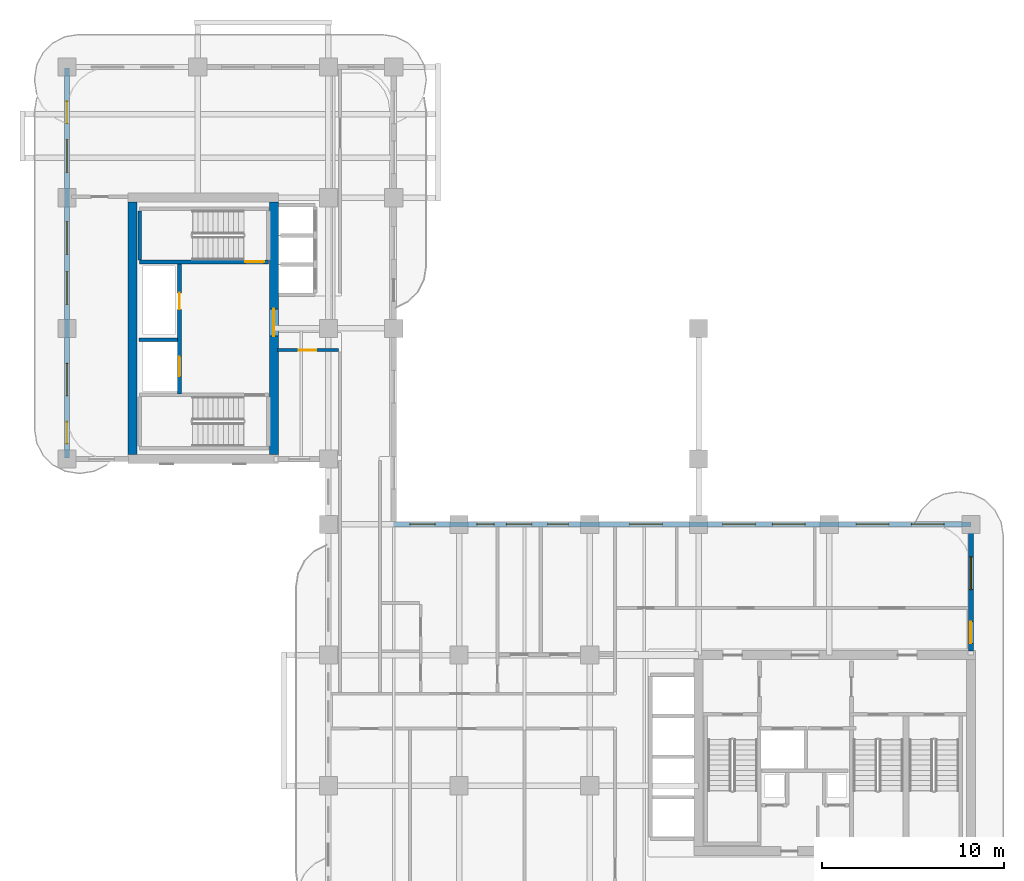
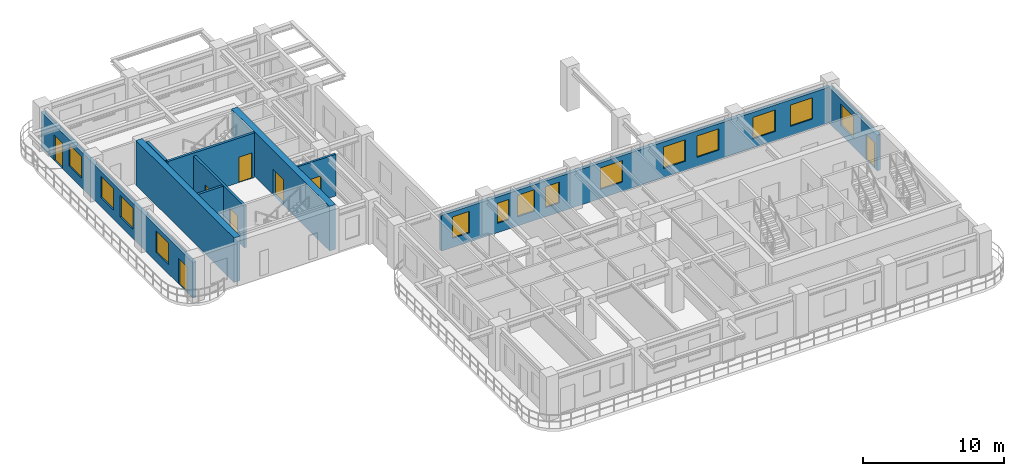
# One storey, part 7 of 13: 14 windows, 10 walls, 8 doors, 22 openings.
"""IFC4 building model written with IfcOpenShell, lengths in metres."""

from ifc_helpers import new_model, si_unit, derived_unit, direction, frame, frame_2d, origin, place, context, subcontext, project, spatial, rectangle, extrude, source, transform, mapped, material, layer, layer_set, type_object, type_shapes, element, fill, save


model = new_model("IFC4")

# Units and contexts
model_context = context("Model", 3, precision=1e-05, world=origin(), true_north=direction((0.0, 1.0)))
body_context = subcontext(model_context, "Body", "Model", "MODEL_VIEW")
ifc_project = project(units=[si_unit("LENGTHUNIT", "METRE"), si_unit("AREAUNIT", "SQUARE_METRE"), si_unit("VOLUMEUNIT", "CUBIC_METRE"), si_unit("PLANEANGLEUNIT", "RADIAN"), si_unit("MASSUNIT", "GRAM", prefix="KILO"), si_unit("THERMODYNAMICTEMPERATUREUNIT", "KELVIN"), si_unit("POWERUNIT", "WATT"), derived_unit("THERMALTRANSMITTANCEUNIT", [(si_unit("POWERUNIT", "WATT"), 1), (si_unit("AREAUNIT", "SQUARE_METRE"), -1), (si_unit("THERMODYNAMICTEMPERATUREUNIT", "KELVIN"), -1)])], contexts=[model_context])

# Site, building, storey
site_placement = place(None, origin())
site = spatial("IfcSite", under=ifc_project, at=site_placement, CompositionType="ELEMENT")
building_placement = place(site_placement, origin())
building = spatial("IfcBuilding", under=site, at=building_placement, Name="Zahravan Archway Hotel and Residences", CompositionType="ELEMENT")
storey_placement = place(building_placement, frame((0.0, 0.0, 181.10009765625)))
storey = spatial("IfcBuildingStorey", under=building, at=storey_placement, Name="L45", CompositionType="ELEMENT", Elevation=181.10009765625)

# Wall
ifc_material_1 = material(Name="Concrete C60/75", Category="concrete")
ifc_layer_1 = layer(ifc_material_1, 0.5, Name="Concrete C60/75", Category="concrete")
ifc_layer_set_1 = layer_set([ifc_layer_1], Name="Concrete C60/75")
wall_type_1 = type_object("IfcWallType", Name="CW-CORE-500", PredefinedType="SHEAR", material=ifc_layer_set_1)
wall_1_placement = place(storey_placement, frame((3.60009765625, 25.449951171875, 0.0), z_axis=(0.0, 0.0, 1.0), x_axis=(0.0, 1.0, 0.0)))
element("IfcWall", 1, at=wall_1_placement, inside=storey, type_object=wall_type_1, Name="L45 Core B Shear W Wall 500 mm", PredefinedType="SHEAR", context=body_context, shape_type="SweptSolid", body=[
    extrude(rectangle(XDim=13.900146484375, YDim=0.5, at=frame_2d((6.9501953125, 0.0))), origin(), (0.0, 0.0, 1.0), 3.849853515625),
])

# Wall, opening, door
wall_2_placement = place(storey_placement, frame((11.39990234375, 25.449951171875, 0.0), z_axis=(0.0, 0.0, 1.0), x_axis=(0.0, 1.0, 0.0)))
wall_2 = element("IfcWall", 2, at=wall_2_placement, inside=storey, type_object=wall_type_1, Name="L45 Core B Shear E Wall 500 mm", PredefinedType="SHEAR", context=body_context, shape_type="SweptSolid", body=[
    extrude(rectangle(XDim=13.900146484375, YDim=0.5, at=frame_2d((6.9501953125, 0.0))), origin(), (0.0, 0.0, 1.0), 3.849853515625),
])
opening_1_placement = place(wall_2_placement, frame((6.52001953125, 0.0, 0.0)))
opening_1 = element("IfcOpeningElement", 3, at=opening_1_placement, cuts=wall_2, Name="Opening FD-L1", PredefinedType="OPENING", context=body_context, shape_type="SweptSolid", body=[
    extrude(rectangle(XDim=1.5, YDim=2.199951171875, at=frame_2d((0.75, 1.10009765625))), frame((0.0, 0.260009765625, 0.0), z_axis=(0.0, -1.0, 0.0), x_axis=(1.0, 0.0, 0.0)), (0.0, 0.0, 1.0), 0.52001953125),
])
ifc_material_2 = material(Name="Fire-Rated Painted Steel", Category="steel")
door_type_1 = type_object("IfcDoorType", Name="FD-LOBBY-1500", OperationType="DOUBLE_DOOR_SINGLE_SWING", PredefinedType="DOOR", material=ifc_material_2)
shared_shape_1 = source(origin(), body_context, "Body", "SweptSolid", [
    extrude(rectangle(XDim=1.5, YDim=2.199951171875, at=frame_2d((0.75, 1.10009765625))), frame((0.0, 0.02490234375, 0.0), z_axis=(0.0, -1.0, 0.0), x_axis=(1.0, 0.0, 0.0)), (0.0, 0.0, 1.0), 0.050048828125),
])
type_shapes(door_type_1, [shared_shape_1])
door_1_placement = place(opening_1_placement, origin())
door_1 = element("IfcDoor", 4, at=door_1_placement, inside=storey, type_object=door_type_1, Name="L45 Core B FSAE Lobby Door", OperationType="DOUBLE_DOOR_SINGLE_SWING", OverallHeight=2.199951171875, OverallWidth=1.5, PredefinedType="DOOR", context=body_context, shape_type="MappedRepresentation", body=[
    mapped(shared_shape_1, transform((0.0, 0.0, 0.0), scale=1.0)),
])
fill(opening_1, door_1)

# Wall, openings, door, window
ifc_material_3 = material(Name="Honed Red-Ochre Sandstone & Insulated Block", Category="masonry")
ifc_layer_2 = layer(ifc_material_3, 0.280029296875, Name="Honed Red-Ochre Sandstone & Insulated Block", Category="masonry")
ifc_layer_set_2 = layer_set([ifc_layer_2], Name="Honed Red-Ochre Sandstone & Insulated Block")
wall_type_2 = type_object("IfcWallType", Name="EW-LOG-280", PredefinedType="SOLIDWALL", material=ifc_layer_set_2)
wall_3_placement = place(storey_placement, frame((49.800048828125, 14.6201171875, 0.0), z_axis=(0.0, 0.0, 1.0), x_axis=(0.0, 1.0, 0.0)))
wall_3 = element("IfcWall", 5, at=wall_3_placement, inside=storey, type_object=wall_type_2, Name="L45 Exterior Sandstone Wall WA-EN", PredefinedType="SOLIDWALL", context=body_context, shape_type="SweptSolid", body=[
    extrude(rectangle(XDim=6.929931640625, YDim=0.280029296875, at=frame_2d((3.46484375, 0.0))), origin(), (0.0, 0.0, 1.0), 3.0849609375),
])
opening_2_placement = place(wall_3_placement, frame((0.419921875, 0.0, 0.0)))
opening_2 = element("IfcOpeningElement", 6, at=opening_2_placement, cuts=wall_3, Name="Opening ED-BL1", PredefinedType="OPENING", context=body_context, shape_type="SweptSolid", body=[
    extrude(rectangle(XDim=1.199951171875, YDim=2.199951171875, at=frame_2d((0.60009765625, 1.10009765625))), frame((0.0, 0.14990234375, 0.0), z_axis=(0.0, -1.0, 0.0), x_axis=(1.0, 0.0, 0.0)), (0.0, 0.0, 1.0), 0.300048828125),
])
opening_3_placement = place(wall_3_placement, frame((3.384033203125, 0.0, 0.800048828125)))
opening_3 = element("IfcOpeningElement", 7, at=opening_3_placement, cuts=wall_3, Name="Opening W-02", PredefinedType="OPENING", context=body_context, shape_type="SweptSolid", body=[
    extrude(rectangle(XDim=1.800048828125, YDim=1.85009765625, at=frame_2d((0.89990234375, 0.925048828125))), frame((0.0, 0.14990234375, 0.0), z_axis=(0.0, -1.0, 0.0), x_axis=(1.0, 0.0, 0.0)), (0.0, 0.0, 1.0), 0.300048828125),
])
ifc_material_4 = material(Name="Bronze-Anodized Glazed Aluminium", Category="aluminium")
door_type_2 = type_object("IfcDoorType", Name="ED-BALC-1200", OperationType="SLIDING_TO_LEFT", PredefinedType="DOOR", material=ifc_material_4)
shared_shape_2 = source(origin(), body_context, "Body", "SweptSolid", [
    extrude(rectangle(XDim=1.199951171875, YDim=2.199951171875, at=frame_2d((0.60009765625, 1.10009765625))), frame((0.0, 0.02490234375, 0.0), z_axis=(0.0, -1.0, 0.0), x_axis=(1.0, 0.0, 0.0)), (0.0, 0.0, 1.0), 0.050048828125),
])
type_shapes(door_type_2, [shared_shape_2])
door_2_placement = place(opening_2_placement, origin())
door_2 = element("IfcDoor", 8, at=door_2_placement, inside=storey, type_object=door_type_2, Name="L45 Outdoor Access Sliding Door (SLB-BAL-L45-EA)", OperationType="SLIDING_TO_LEFT", OverallHeight=2.199951171875, OverallWidth=1.199951171875, PredefinedType="DOOR", context=body_context, shape_type="MappedRepresentation", body=[
    mapped(shared_shape_2, transform((0.0, 0.0, 0.0), scale=1.0)),
])
fill(opening_2, door_2)
ifc_material_5 = material(Name="Bronze-Anodized Thermal-Break Aluminium & Low-E Glass", Category="aluminium")
window_type_1 = type_object("IfcWindowType", Name="WIN-TWR-1800", PartitioningType="DOUBLE_PANEL_VERTICAL", PredefinedType="WINDOW", material=ifc_material_5)
shared_shape_3 = source(origin(), body_context, "Body", "SweptSolid", [
    extrude(rectangle(XDim=1.800048828125, YDim=1.85009765625, at=frame_2d((0.89990234375, 0.925048828125))), frame((0.0, 0.030029296875, 0.0), z_axis=(0.0, -1.0, 0.0), x_axis=(1.0, 0.0, 0.0)), (0.0, 0.0, 1.0), 0.06005859375),
])
type_shapes(window_type_1, [shared_shape_3])
window_1_placement = place(opening_3_placement, origin())
window_1 = element("IfcWindow", 9, at=window_1_placement, inside=storey, type_object=window_type_1, Name="L45 Loggia Window 10", OverallHeight=1.85009765625, OverallWidth=1.800048828125, PartitioningType="DOUBLE_PANEL_VERTICAL", PredefinedType="WINDOW", context=body_context, shape_type="MappedRepresentation", body=[
    mapped(shared_shape_3, transform((0.0, 0.0, 0.0), scale=1.0)),
])
fill(opening_3, window_1)

# Wall, openings, windows
wall_4_placement = place(storey_placement, frame((18.0, 21.60009765625, 0.0), z_axis=(0.0, 0.0, 1.0), x_axis=(1.0, 0.0, 0.0)))
wall_4 = element("IfcWall", 10, at=wall_4_placement, inside=storey, type_object=wall_type_2, Name="L45 Exterior Sandstone Wall WA-NE", PredefinedType="SOLIDWALL", context=body_context, shape_type="SweptSolid", body=[
    extrude(rectangle(XDim=31.800048828125, YDim=0.280029296875, at=frame_2d((15.89990234375, 0.0))), origin(), (0.0, 0.0, 1.0), 3.0849609375),
])
opening_4_placement = place(wall_4_placement, frame((0.885009765625, 0.0, 0.800048828125)))
opening_4 = element("IfcOpeningElement", 11, at=opening_4_placement, cuts=wall_4, Name="Opening W-03", PredefinedType="OPENING", context=body_context, shape_type="SweptSolid", body=[
    extrude(rectangle(XDim=1.39990234375, YDim=1.85009765625, at=frame_2d((0.699951171875, 0.925048828125))), frame((0.0, 0.14990234375, 0.0), z_axis=(0.0, -1.0, 0.0), x_axis=(1.0, 0.0, 0.0)), (0.0, 0.0, 1.0), 0.300048828125),
])
opening_5_placement = place(wall_4_placement, frame((4.5810546875, 0.0, 0.800048828125)))
opening_5 = element("IfcOpeningElement", 12, at=opening_5_placement, cuts=wall_4, Name="Opening W-04", PredefinedType="OPENING", context=body_context, shape_type="SweptSolid", body=[
    extrude(rectangle(XDim=0.949951171875, YDim=1.75, at=frame_2d((0.47509765625, 0.875))), frame((0.0, 0.14990234375, 0.0), z_axis=(0.0, -1.0, 0.0), x_axis=(1.0, 0.0, 0.0)), (0.0, 0.0, 1.0), 0.300048828125),
])
opening_6_placement = place(wall_4_placement, frame((6.2099609375, 0.0, 0.800048828125)))
opening_6 = element("IfcOpeningElement", 13, at=opening_6_placement, cuts=wall_4, Name="Opening W-03", PredefinedType="OPENING", context=body_context, shape_type="SweptSolid", body=[
    extrude(rectangle(XDim=1.39990234375, YDim=1.85009765625, at=frame_2d((0.699951171875, 0.925048828125))), frame((0.0, 0.14990234375, 0.0), z_axis=(0.0, -1.0, 0.0), x_axis=(1.0, 0.0, 0.0)), (0.0, 0.0, 1.0), 0.300048828125),
])
opening_7_placement = place(wall_4_placement, frame((8.47998046875, 0.0, 0.800048828125)))
opening_7 = element("IfcOpeningElement", 14, at=opening_7_placement, cuts=wall_4, Name="Opening W-05", PredefinedType="OPENING", context=body_context, shape_type="SweptSolid", body=[
    extrude(rectangle(XDim=1.14990234375, YDim=1.800048828125, at=frame_2d((0.574951171875, 0.89990234375))), frame((0.0, 0.14990234375, 0.0), z_axis=(0.0, -1.0, 0.0), x_axis=(1.0, 0.0, 0.0)), (0.0, 0.0, 1.0), 0.300048828125),
])
opening_8_placement = place(wall_4_placement, frame((13.0009765625, 0.0, 0.800048828125)))
opening_8 = element("IfcOpeningElement", 15, at=opening_8_placement, cuts=wall_4, Name="Opening W-02", PredefinedType="OPENING", context=body_context, shape_type="SweptSolid", body=[
    extrude(rectangle(XDim=1.800048828125, YDim=1.85009765625, at=frame_2d((0.89990234375, 0.925048828125))), frame((0.0, 0.14990234375, 0.0), z_axis=(0.0, -1.0, 0.0), x_axis=(1.0, 0.0, 0.0)), (0.0, 0.0, 1.0), 0.300048828125),
])
opening_9_placement = place(wall_4_placement, frame((18.123046875, 0.0, 0.800048828125)))
opening_9 = element("IfcOpeningElement", 16, at=opening_9_placement, cuts=wall_4, Name="Opening W-02", PredefinedType="OPENING", context=body_context, shape_type="SweptSolid", body=[
    extrude(rectangle(XDim=1.800048828125, YDim=1.85009765625, at=frame_2d((0.89990234375, 0.925048828125))), frame((0.0, 0.14990234375, 0.0), z_axis=(0.0, -1.0, 0.0), x_axis=(1.0, 0.0, 0.0)), (0.0, 0.0, 1.0), 0.300048828125),
])
opening_10_placement = place(wall_4_placement, frame((20.868896484375, 0.0, 0.800048828125)))
opening_10 = element("IfcOpeningElement", 17, at=opening_10_placement, cuts=wall_4, Name="Opening W-02", PredefinedType="OPENING", context=body_context, shape_type="SweptSolid", body=[
    extrude(rectangle(XDim=1.800048828125, YDim=1.85009765625, at=frame_2d((0.89990234375, 0.925048828125))), frame((0.0, 0.14990234375, 0.0), z_axis=(0.0, -1.0, 0.0), x_axis=(1.0, 0.0, 0.0)), (0.0, 0.0, 1.0), 0.300048828125),
])
opening_11_placement = place(wall_4_placement, frame((25.47509765625, 0.0, 0.800048828125)))
opening_11 = element("IfcOpeningElement", 18, at=opening_11_placement, cuts=wall_4, Name="Opening W-02", PredefinedType="OPENING", context=body_context, shape_type="SweptSolid", body=[
    extrude(rectangle(XDim=1.800048828125, YDim=1.85009765625, at=frame_2d((0.89990234375, 0.925048828125))), frame((0.0, 0.14990234375, 0.0), z_axis=(0.0, -1.0, 0.0), x_axis=(1.0, 0.0, 0.0)), (0.0, 0.0, 1.0), 0.300048828125),
])
opening_12_placement = place(wall_4_placement, frame((28.52490234375, 0.0, 0.800048828125)))
opening_12 = element("IfcOpeningElement", 19, at=opening_12_placement, cuts=wall_4, Name="Opening W-02", PredefinedType="OPENING", context=body_context, shape_type="SweptSolid", body=[
    extrude(rectangle(XDim=1.800048828125, YDim=1.85009765625, at=frame_2d((0.89990234375, 0.925048828125))), frame((0.0, 0.14990234375, 0.0), z_axis=(0.0, -1.0, 0.0), x_axis=(1.0, 0.0, 0.0)), (0.0, 0.0, 1.0), 0.300048828125),
])
window_type_2 = type_object("IfcWindowType", Name="WIN-TWR-1400", PartitioningType="SINGLE_PANEL", PredefinedType="WINDOW", material=ifc_material_5)
shared_shape_4 = source(origin(), body_context, "Body", "SweptSolid", [
    extrude(rectangle(XDim=1.39990234375, YDim=1.85009765625, at=frame_2d((0.699951171875, 0.925048828125))), frame((0.0, 0.030029296875, 0.0), z_axis=(0.0, -1.0, 0.0), x_axis=(1.0, 0.0, 0.0)), (0.0, 0.0, 1.0), 0.06005859375),
])
type_shapes(window_type_2, [shared_shape_4])
window_2_placement = place(opening_4_placement, origin())
window_2 = element("IfcWindow", 20, at=window_2_placement, inside=storey, type_object=window_type_2, Name="L45 Loggia Window 11", OverallHeight=1.85009765625, OverallWidth=1.39990234375, PartitioningType="SINGLE_PANEL", PredefinedType="WINDOW", context=body_context, shape_type="MappedRepresentation", body=[
    mapped(shared_shape_4, transform((0.0, 0.0, 0.0), scale=1.0)),
])
fill(opening_4, window_2)
window_3_placement = place(opening_6_placement, origin())
window_3 = element("IfcWindow", 21, at=window_3_placement, inside=storey, type_object=window_type_2, Name="L45 Loggia Window 13", OverallHeight=1.85009765625, OverallWidth=1.39990234375, PartitioningType="SINGLE_PANEL", PredefinedType="WINDOW", context=body_context, shape_type="MappedRepresentation", body=[
    mapped(shared_shape_4, transform((0.0, 0.0, 0.0), scale=1.0)),
])
fill(opening_6, window_3)
window_type_3 = type_object("IfcWindowType", Name="WIN-NAR-950", PartitioningType="SINGLE_PANEL", PredefinedType="WINDOW", material=ifc_material_5)
shared_shape_5 = source(origin(), body_context, "Body", "SweptSolid", [
    extrude(rectangle(XDim=0.949951171875, YDim=1.75, at=frame_2d((0.47509765625, 0.875))), frame((0.0, 0.030029296875, 0.0), z_axis=(0.0, -1.0, 0.0), x_axis=(1.0, 0.0, 0.0)), (0.0, 0.0, 1.0), 0.06005859375),
])
type_shapes(window_type_3, [shared_shape_5])
window_4_placement = place(opening_5_placement, origin())
window_4 = element("IfcWindow", 22, at=window_4_placement, inside=storey, type_object=window_type_3, Name="L45 Loggia Window 12", OverallHeight=1.75, OverallWidth=0.949951171875, PartitioningType="SINGLE_PANEL", PredefinedType="WINDOW", context=body_context, shape_type="MappedRepresentation", body=[
    mapped(shared_shape_5, transform((0.0, 0.0, 0.0), scale=1.0)),
])
fill(opening_5, window_4)
window_5_placement = place(opening_8_placement, origin())
window_5 = element("IfcWindow", 23, at=window_5_placement, inside=storey, type_object=window_type_1, Name="L45 Loggia Window 15", OverallHeight=1.85009765625, OverallWidth=1.800048828125, PartitioningType="DOUBLE_PANEL_VERTICAL", PredefinedType="WINDOW", context=body_context, shape_type="MappedRepresentation", body=[
    mapped(shared_shape_3, transform((0.0, 0.0, 0.0), scale=1.0)),
])
fill(opening_8, window_5)
window_6_placement = place(opening_9_placement, origin())
window_6 = element("IfcWindow", 24, at=window_6_placement, inside=storey, type_object=window_type_1, Name="L45 Loggia Window 16", OverallHeight=1.85009765625, OverallWidth=1.800048828125, PartitioningType="DOUBLE_PANEL_VERTICAL", PredefinedType="WINDOW", context=body_context, shape_type="MappedRepresentation", body=[
    mapped(shared_shape_3, transform((0.0, 0.0, 0.0), scale=1.0)),
])
fill(opening_9, window_6)
window_7_placement = place(opening_10_placement, origin())
window_7 = element("IfcWindow", 25, at=window_7_placement, inside=storey, type_object=window_type_1, Name="L45 Loggia Window 17", OverallHeight=1.85009765625, OverallWidth=1.800048828125, PartitioningType="DOUBLE_PANEL_VERTICAL", PredefinedType="WINDOW", context=body_context, shape_type="MappedRepresentation", body=[
    mapped(shared_shape_3, transform((0.0, 0.0, 0.0), scale=1.0)),
])
fill(opening_10, window_7)
window_8_placement = place(opening_11_placement, origin())
window_8 = element("IfcWindow", 26, at=window_8_placement, inside=storey, type_object=window_type_1, Name="L45 Loggia Window 18", OverallHeight=1.85009765625, OverallWidth=1.800048828125, PartitioningType="DOUBLE_PANEL_VERTICAL", PredefinedType="WINDOW", context=body_context, shape_type="MappedRepresentation", body=[
    mapped(shared_shape_3, transform((0.0, 0.0, 0.0), scale=1.0)),
])
fill(opening_11, window_8)
window_9_placement = place(opening_12_placement, origin())
window_9 = element("IfcWindow", 27, at=window_9_placement, inside=storey, type_object=window_type_1, Name="L45 Loggia Window 19", OverallHeight=1.85009765625, OverallWidth=1.800048828125, PartitioningType="DOUBLE_PANEL_VERTICAL", PredefinedType="WINDOW", context=body_context, shape_type="MappedRepresentation", body=[
    mapped(shared_shape_3, transform((0.0, 0.0, 0.0), scale=1.0)),
])
fill(opening_12, window_9)
window_type_4 = type_object("IfcWindowType", Name="WIN-TWR-1150", PartitioningType="SINGLE_PANEL", PredefinedType="WINDOW", material=ifc_material_5)
shared_shape_6 = source(origin(), body_context, "Body", "SweptSolid", [
    extrude(rectangle(XDim=1.14990234375, YDim=1.800048828125, at=frame_2d((0.574951171875, 0.89990234375))), frame((0.0, 0.030029296875, 0.0), z_axis=(0.0, -1.0, 0.0), x_axis=(1.0, 0.0, 0.0)), (0.0, 0.0, 1.0), 0.06005859375),
])
type_shapes(window_type_4, [shared_shape_6])
window_10_placement = place(opening_7_placement, origin())
window_10 = element("IfcWindow", 28, at=window_10_placement, inside=storey, type_object=window_type_4, Name="L45 Loggia Window 14", OverallHeight=1.800048828125, OverallWidth=1.14990234375, PartitioningType="SINGLE_PANEL", PredefinedType="WINDOW", context=body_context, shape_type="MappedRepresentation", body=[
    mapped(shared_shape_6, transform((0.0, 0.0, 0.0), scale=1.0)),
])
fill(opening_7, window_10)

# Wall, openings, doors, windows
wall_5_placement = place(storey_placement, frame((0.0, 25.25, 0.0), z_axis=(0.0, 0.0, 1.0), x_axis=(0.0, 1.0, 0.0)))
wall_5 = element("IfcWall", 29, at=wall_5_placement, inside=storey, type_object=wall_type_2, Name="L45 Exterior Sandstone Wall WB-W", PredefinedType="SOLIDWALL", context=body_context, shape_type="SweptSolid", body=[
    extrude(rectangle(XDim=21.5, YDim=0.280029296875, at=frame_2d((10.75, 0.0))), origin(), (0.0, 0.0, 1.0), 3.0849609375),
])
opening_13_placement = place(wall_5_placement, frame((18.449951171875, 0.0, 0.0)))
opening_13 = element("IfcOpeningElement", 30, at=opening_13_placement, cuts=wall_5, Name="Opening ED-BL1", PredefinedType="OPENING", context=body_context, shape_type="SweptSolid", body=[
    extrude(rectangle(XDim=1.199951171875, YDim=2.199951171875, at=frame_2d((0.60009765625, 1.10009765625))), frame((0.0, 0.14990234375, 0.0), z_axis=(0.0, -1.0, 0.0), x_axis=(1.0, 0.0, 0.0)), (0.0, 0.0, 1.0), 0.300048828125),
])
opening_14_placement = place(wall_5_placement, frame((0.800048828125, 0.0, 0.0)))
opening_14 = element("IfcOpeningElement", 31, at=opening_14_placement, cuts=wall_5, Name="Opening ED-BL1", PredefinedType="OPENING", context=body_context, shape_type="SweptSolid", body=[
    extrude(rectangle(XDim=1.199951171875, YDim=2.199951171875, at=frame_2d((0.60009765625, 1.10009765625))), frame((0.0, 0.14990234375, 0.0), z_axis=(0.0, -1.0, 0.0), x_axis=(1.0, 0.0, 0.0)), (0.0, 0.0, 1.0), 0.300048828125),
])
opening_15_placement = place(wall_5_placement, frame((3.425048828125, 0.0, 0.800048828125)))
opening_15 = element("IfcOpeningElement", 32, at=opening_15_placement, cuts=wall_5, Name="Opening W-02", PredefinedType="OPENING", context=body_context, shape_type="SweptSolid", body=[
    extrude(rectangle(XDim=1.800048828125, YDim=1.85009765625, at=frame_2d((0.89990234375, 0.925048828125))), frame((0.0, 0.14990234375, 0.0), z_axis=(0.0, -1.0, 0.0), x_axis=(1.0, 0.0, 0.0)), (0.0, 0.0, 1.0), 0.300048828125),
])
opening_16_placement = place(wall_5_placement, frame((8.47509765625, 0.0, 0.800048828125)))
opening_16 = element("IfcOpeningElement", 33, at=opening_16_placement, cuts=wall_5, Name="Opening W-02", PredefinedType="OPENING", context=body_context, shape_type="SweptSolid", body=[
    extrude(rectangle(XDim=1.800048828125, YDim=1.85009765625, at=frame_2d((0.89990234375, 0.925048828125))), frame((0.0, 0.14990234375, 0.0), z_axis=(0.0, -1.0, 0.0), x_axis=(1.0, 0.0, 0.0)), (0.0, 0.0, 1.0), 0.300048828125),
])
opening_17_placement = place(wall_5_placement, frame((11.22509765625, 0.0, 0.800048828125)))
opening_17 = element("IfcOpeningElement", 34, at=opening_17_placement, cuts=wall_5, Name="Opening W-02", PredefinedType="OPENING", context=body_context, shape_type="SweptSolid", body=[
    extrude(rectangle(XDim=1.800048828125, YDim=1.85009765625, at=frame_2d((0.89990234375, 0.925048828125))), frame((0.0, 0.14990234375, 0.0), z_axis=(0.0, -1.0, 0.0), x_axis=(1.0, 0.0, 0.0)), (0.0, 0.0, 1.0), 0.300048828125),
])
opening_18_placement = place(wall_5_placement, frame((15.75, 0.0, 0.800048828125)))
opening_18 = element("IfcOpeningElement", 35, at=opening_18_placement, cuts=wall_5, Name="Opening W-02", PredefinedType="OPENING", context=body_context, shape_type="SweptSolid", body=[
    extrude(rectangle(XDim=1.800048828125, YDim=1.85009765625, at=frame_2d((0.89990234375, 0.925048828125))), frame((0.0, 0.14990234375, 0.0), z_axis=(0.0, -1.0, 0.0), x_axis=(1.0, 0.0, 0.0)), (0.0, 0.0, 1.0), 0.300048828125),
])
door_3_placement = place(opening_13_placement, origin())
door_3 = element("IfcDoor", 36, at=door_3_placement, inside=storey, type_object=door_type_2, Name="L45 Outdoor Access Sliding Door (SLB-BAL-L45-NB)", OperationType="SLIDING_TO_LEFT", OverallHeight=2.199951171875, OverallWidth=1.199951171875, PredefinedType="DOOR", context=body_context, shape_type="MappedRepresentation", body=[
    mapped(shared_shape_2, transform((0.0, 0.0, 0.0), scale=1.0)),
])
fill(opening_13, door_3)
door_4_placement = place(opening_14_placement, origin())
door_4 = element("IfcDoor", 37, at=door_4_placement, inside=storey, type_object=door_type_2, Name="L45 Outdoor Access Sliding Door (SLB-BAL-L45-WB)", OperationType="SLIDING_TO_LEFT", OverallHeight=2.199951171875, OverallWidth=1.199951171875, PredefinedType="DOOR", context=body_context, shape_type="MappedRepresentation", body=[
    mapped(shared_shape_2, transform((0.0, 0.0, 0.0), scale=1.0)),
])
fill(opening_14, door_4)
window_11_placement = place(opening_15_placement, origin())
window_11 = element("IfcWindow", 38, at=window_11_placement, inside=storey, type_object=window_type_1, Name="L45 Loggia Window 30", OverallHeight=1.85009765625, OverallWidth=1.800048828125, PartitioningType="DOUBLE_PANEL_VERTICAL", PredefinedType="WINDOW", context=body_context, shape_type="MappedRepresentation", body=[
    mapped(shared_shape_3, transform((0.0, 0.0, 0.0), scale=1.0)),
])
fill(opening_15, window_11)
window_12_placement = place(opening_16_placement, origin())
window_12 = element("IfcWindow", 39, at=window_12_placement, inside=storey, type_object=window_type_1, Name="L45 Loggia Window 31", OverallHeight=1.85009765625, OverallWidth=1.800048828125, PartitioningType="DOUBLE_PANEL_VERTICAL", PredefinedType="WINDOW", context=body_context, shape_type="MappedRepresentation", body=[
    mapped(shared_shape_3, transform((0.0, 0.0, 0.0), scale=1.0)),
])
fill(opening_16, window_12)
window_13_placement = place(opening_17_placement, origin())
window_13 = element("IfcWindow", 40, at=window_13_placement, inside=storey, type_object=window_type_1, Name="L45 Loggia Window 32", OverallHeight=1.85009765625, OverallWidth=1.800048828125, PartitioningType="DOUBLE_PANEL_VERTICAL", PredefinedType="WINDOW", context=body_context, shape_type="MappedRepresentation", body=[
    mapped(shared_shape_3, transform((0.0, 0.0, 0.0), scale=1.0)),
])
fill(opening_17, window_13)
window_14_placement = place(opening_18_placement, origin())
window_14 = element("IfcWindow", 41, at=window_14_placement, inside=storey, type_object=window_type_1, Name="L45 Loggia Window 33", OverallHeight=1.85009765625, OverallWidth=1.800048828125, PartitioningType="DOUBLE_PANEL_VERTICAL", PredefinedType="WINDOW", context=body_context, shape_type="MappedRepresentation", body=[
    mapped(shared_shape_3, transform((0.0, 0.0, 0.0), scale=1.0)),
])
fill(opening_18, window_14)

# Wall, openings, doors
ifc_material_6 = material(Name="Fire-Rated Gypsum & Concrete Block", Category="concrete")
ifc_layer_3 = layer(ifc_material_6, 0.199951171875, Name="Fire-Rated Gypsum & Concrete Block", Category="concrete")
ifc_layer_set_3 = layer_set([ifc_layer_3], Name="Fire-Rated Gypsum & Concrete Block")
wall_type_3 = type_object("IfcWallType", Name="PW-SHAFT-200", PredefinedType="PARTITIONING", material=ifc_layer_set_3)
wall_6_placement = place(storey_placement, frame((6.199951171875, 28.7900390625, 0.0), z_axis=(0.0, 0.0, 1.0), x_axis=(0.0, 1.0, 0.0)))
wall_6 = element("IfcWall", 42, at=wall_6_placement, inside=storey, type_object=wall_type_3, Name="L45 Partition CB-FL3E", PredefinedType="PARTITIONING", context=body_context, shape_type="SweptSolid", body=[
    extrude(rectangle(XDim=7.219970703125, YDim=0.199951171875, at=frame_2d((3.60986328125, 0.0))), origin(), (0.0, 0.0, 1.0), 3.599853515625),
])
opening_19_placement = place(wall_6_placement, frame((4.659912109375, 0.0, 0.0)))
opening_19 = element("IfcOpeningElement", 43, at=opening_19_placement, cuts=wall_6, Name="Opening FD-R1", PredefinedType="OPENING", context=body_context, shape_type="SweptSolid", body=[
    extrude(rectangle(XDim=0.89990234375, YDim=2.10009765625, at=frame_2d((0.449951171875, 1.050048828125))), frame((0.0, 0.10986328125, 0.0), z_axis=(0.0, -1.0, 0.0), x_axis=(1.0, 0.0, 0.0)), (0.0, 0.0, 1.0), 0.219970703125),
])
opening_20_placement = place(wall_6_placement, frame((0.9599609375, 0.0, 0.0)))
opening_20 = element("IfcOpeningElement", 44, at=opening_20_placement, cuts=wall_6, Name="Opening LD", PredefinedType="OPENING", context=body_context, shape_type="SweptSolid", body=[
    extrude(rectangle(XDim=1.10009765625, YDim=2.199951171875, at=frame_2d((0.550048828125, 1.10009765625))), frame((0.0, 0.10986328125, 0.0), z_axis=(0.0, -1.0, 0.0), x_axis=(1.0, 0.0, 0.0)), (0.0, 0.0, 1.0), 0.219970703125),
])
door_type_3 = type_object("IfcDoorType", Name="FD-RISER-900", OperationType="NOTDEFINED", PredefinedType="DOOR", material=ifc_material_2)
shared_shape_7 = source(origin(), body_context, "Body", "SweptSolid", [
    extrude(rectangle(XDim=0.89990234375, YDim=2.10009765625, at=frame_2d((0.449951171875, 1.050048828125))), frame((0.0, 0.02490234375, 0.0), z_axis=(0.0, -1.0, 0.0), x_axis=(1.0, 0.0, 0.0)), (0.0, 0.0, 1.0), 0.050048828125),
])
type_shapes(door_type_3, [shared_shape_7])
door_5_placement = place(opening_19_placement, origin())
door_5 = element("IfcDoor", 45, at=door_5_placement, inside=storey, type_object=door_type_3, Name="L45 Core B Riser Door", OperationType="SINGLE_SWING_RIGHT", OverallHeight=2.10009765625, OverallWidth=0.89990234375, PredefinedType="DOOR", context=body_context, shape_type="MappedRepresentation", body=[
    mapped(shared_shape_7, transform((0.0, 0.0, 0.0), scale=1.0)),
])
fill(opening_19, door_5)
ifc_material_7 = material(Name="Brushed Stainless Steel", Category="steel")
door_type_4 = type_object("IfcDoorType", Name="DR-LIFT-LD", OperationType="SLIDING_TO_LEFT", PredefinedType="DOOR", material=ifc_material_7)
shared_shape_8 = source(origin(), body_context, "Body", "SweptSolid", [
    extrude(rectangle(XDim=1.10009765625, YDim=2.199951171875, at=frame_2d((0.550048828125, 1.10009765625))), frame((0.0, 0.02490234375, 0.0), z_axis=(0.0, -1.0, 0.0), x_axis=(1.0, 0.0, 0.0)), (0.0, 0.0, 1.0), 0.050048828125),
])
type_shapes(door_type_4, [shared_shape_8])
door_6_placement = place(opening_20_placement, origin())
door_6 = element("IfcDoor", 46, at=door_6_placement, inside=storey, type_object=door_type_4, Name="L45 Lift FL-3 Sliding Landing Door", OperationType="SLIDING_TO_LEFT", OverallHeight=2.199951171875, OverallWidth=1.10009765625, PredefinedType="DOOR", context=body_context, shape_type="MappedRepresentation", body=[
    mapped(shared_shape_8, transform((0.0, 0.0, 0.0), scale=1.0)),
])
fill(opening_20, door_6)

# Wall
wall_7_placement = place(storey_placement, frame((3.9599609375, 31.780029296875, 0.0), z_axis=(0.0, 0.0, 1.0), x_axis=(1.0, 0.0, 0.0)))
element("IfcWall", 47, at=wall_7_placement, inside=storey, type_object=wall_type_3, Name="L45 Partition CB-FL3N", PredefinedType="PARTITIONING", context=body_context, shape_type="SweptSolid", body=[
    extrude(rectangle(XDim=2.130126953125, YDim=0.199951171875, at=frame_2d((1.06494140625, 0.0))), origin(), (0.0, 0.0, 1.0), 3.599853515625),
])

# Wall, opening, door
ifc_material_8 = material(Name="Acoustic Stud Partition")
ifc_layer_4 = layer(ifc_material_8, 0.169921875, Name="Acoustic Stud Partition")
ifc_layer_set_4 = layer_set([ifc_layer_4], Name="Acoustic Stud Partition")
wall_type_4 = type_object("IfcWallType", Name="PW-UNIT-170", PredefinedType="PARTITIONING", material=ifc_layer_set_4)
wall_8_placement = place(storey_placement, frame((11.590087890625, 31.199951171875, 0.0), z_axis=(0.0, 0.0, 1.0), x_axis=(1.0, 0.0, 0.0)))
wall_8 = element("IfcWall", 48, at=wall_8_placement, inside=storey, type_object=wall_type_4, Name="L45 Partition FB1-N", PredefinedType="PARTITIONING", context=body_context, shape_type="SweptSolid", body=[
    extrude(rectangle(XDim=3.369873046875, YDim=0.169921875, at=frame_2d((1.68505859375, 0.0))), origin(), (0.0, 0.0, 1.0), 3.599853515625),
])
opening_21_placement = place(wall_8_placement, frame((1.18505859375, 0.0, 0.0)))
opening_21 = element("IfcOpeningElement", 49, at=opening_21_placement, cuts=wall_8, Name="Opening D-I1", PredefinedType="OPENING", context=body_context, shape_type="SweptSolid", body=[
    extrude(rectangle(XDim=0.949951171875, YDim=2.14990234375, at=frame_2d((0.47509765625, 1.074951171875))), frame((0.0, 0.094970703125, 0.0), z_axis=(0.0, -1.0, 0.0), x_axis=(1.0, 0.0, 0.0)), (0.0, 0.0, 1.0), 0.18994140625),
])
ifc_material_9 = material(Name="Hardwood Veneer Timber", Category="wood")
door_type_5 = type_object("IfcDoorType", Name="ID-INT-950", OperationType="NOTDEFINED", PredefinedType="DOOR", material=ifc_material_9)
shared_shape_9 = source(origin(), body_context, "Body", "SweptSolid", [
    extrude(rectangle(XDim=0.949951171875, YDim=2.14990234375, at=frame_2d((0.47509765625, 1.074951171875))), frame((0.0, 0.02490234375, 0.0), z_axis=(0.0, -1.0, 0.0), x_axis=(1.0, 0.0, 0.0)), (0.0, 0.0, 1.0), 0.050048828125),
])
type_shapes(door_type_5, [shared_shape_9])
door_7_placement = place(opening_21_placement, origin())
door_7 = element("IfcDoor", 50, at=door_7_placement, inside=storey, type_object=door_type_5, Name="L45 Freed Bank 1 Reading Salon Door", OperationType="SINGLE_SWING_LEFT", OverallHeight=2.14990234375, OverallWidth=0.949951171875, PredefinedType="DOOR", context=body_context, shape_type="MappedRepresentation", body=[
    mapped(shared_shape_9, transform((0.0, 0.0, 0.0), scale=1.0)),
])
fill(opening_21, door_7)

# Wall
ifc_material_10 = material(Name="Concrete C50/60", Category="concrete")
ifc_layer_5 = layer(ifc_material_10, 0.199951171875, Name="Concrete C50/60", Category="concrete")
ifc_layer_set_5 = layer_set([ifc_layer_5], Name="Concrete C50/60")
wall_type_5 = type_object("IfcWallType", Name="SW-STAIR-200", PredefinedType="SHEAR", material=ifc_layer_set_5)
wall_9_placement = place(storey_placement, frame((4.0, 36.179931640625, 0.0), z_axis=(0.0, 0.0, 1.0), x_axis=(0.0, 1.0, 0.0)))
element("IfcWall", 51, at=wall_9_placement, inside=storey, type_object=wall_type_5, Name="L45 Stairwell RC Wall CB-SB2W", PredefinedType="SHEAR", context=body_context, shape_type="SweptSolid", body=[
    extrude(rectangle(XDim=2.699951171875, YDim=0.199951171875, at=frame_2d((1.35009765625, 0.0))), origin(), (0.0, 0.0, 1.0), 3.849853515625),
])

# Wall, opening, door
wall_10_placement = place(storey_placement, frame((4.0, 36.06005859375, 0.0), z_axis=(0.0, 0.0, 1.0), x_axis=(1.0, 0.0, 0.0)))
wall_10 = element("IfcWall", 52, at=wall_10_placement, inside=storey, type_object=wall_type_5, Name="L45 Stairwell RC Wall CB-SB2S", PredefinedType="SHEAR", context=body_context, shape_type="SweptSolid", body=[
    extrude(rectangle(XDim=7.10009765625, YDim=0.199951171875, at=frame_2d((3.550048828125, 0.0))), origin(), (0.0, 0.0, 1.0), 3.849853515625),
])
opening_22_placement = place(wall_10_placement, frame((5.81494140625, 0.0, 0.0)))
opening_22 = element("IfcOpeningElement", 53, at=opening_22_placement, cuts=wall_10, Name="Opening FD-S1", PredefinedType="OPENING", context=body_context, shape_type="SweptSolid", body=[
    extrude(rectangle(XDim=1.050048828125, YDim=2.199951171875, at=frame_2d((0.52490234375, 1.10009765625))), frame((0.0, 0.10986328125, 0.0), z_axis=(0.0, -1.0, 0.0), x_axis=(1.0, 0.0, 0.0)), (0.0, 0.0, 1.0), 0.219970703125),
])
door_type_6 = type_object("IfcDoorType", Name="FD-STAIR-1100", OperationType="NOTDEFINED", PredefinedType="DOOR", material=ifc_material_2)
shared_shape_10 = source(origin(), body_context, "Body", "SweptSolid", [
    extrude(rectangle(XDim=1.050048828125, YDim=2.199951171875, at=frame_2d((0.52490234375, 1.10009765625))), frame((0.0, 0.02490234375, 0.0), z_axis=(0.0, -1.0, 0.0), x_axis=(1.0, 0.0, 0.0)), (0.0, 0.0, 1.0), 0.050048828125),
])
type_shapes(door_type_6, [shared_shape_10])
door_8_placement = place(opening_22_placement, origin())
door_8 = element("IfcDoor", 54, at=door_8_placement, inside=storey, type_object=door_type_6, Name="L45 Stair ST-B2 Door", OperationType="SINGLE_SWING_LEFT", OverallHeight=2.199951171875, OverallWidth=1.050048828125, PredefinedType="DOOR", context=body_context, shape_type="MappedRepresentation", body=[
    mapped(shared_shape_10, transform((0.0, 0.0, 0.0), scale=1.0)),
])
fill(opening_22, door_8)

save(model, "model.ifc")
